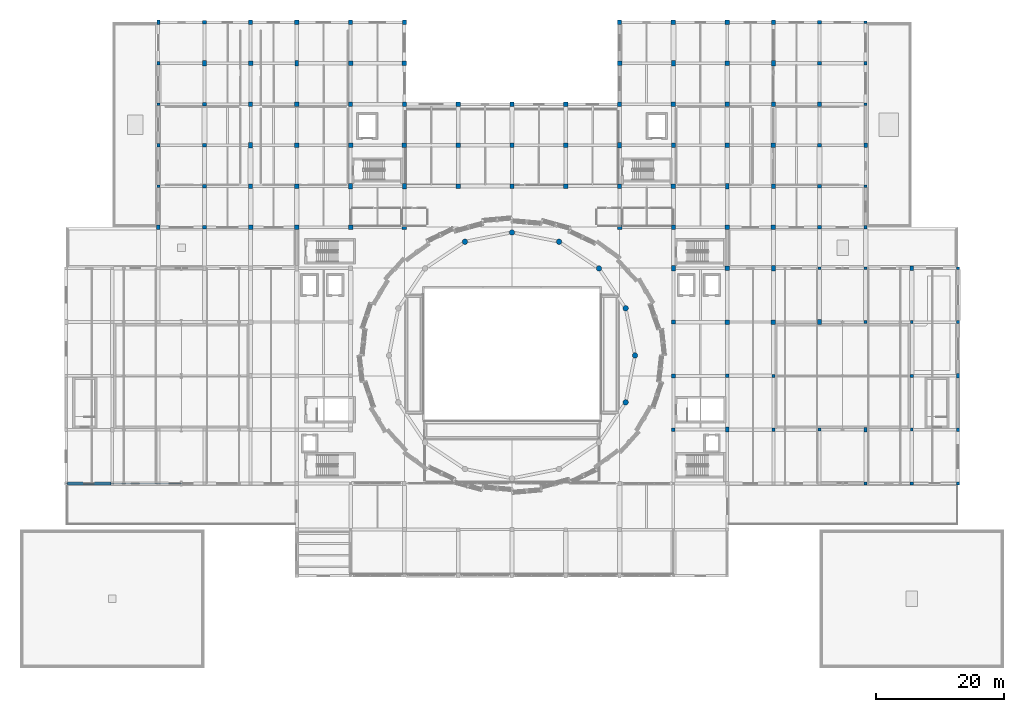
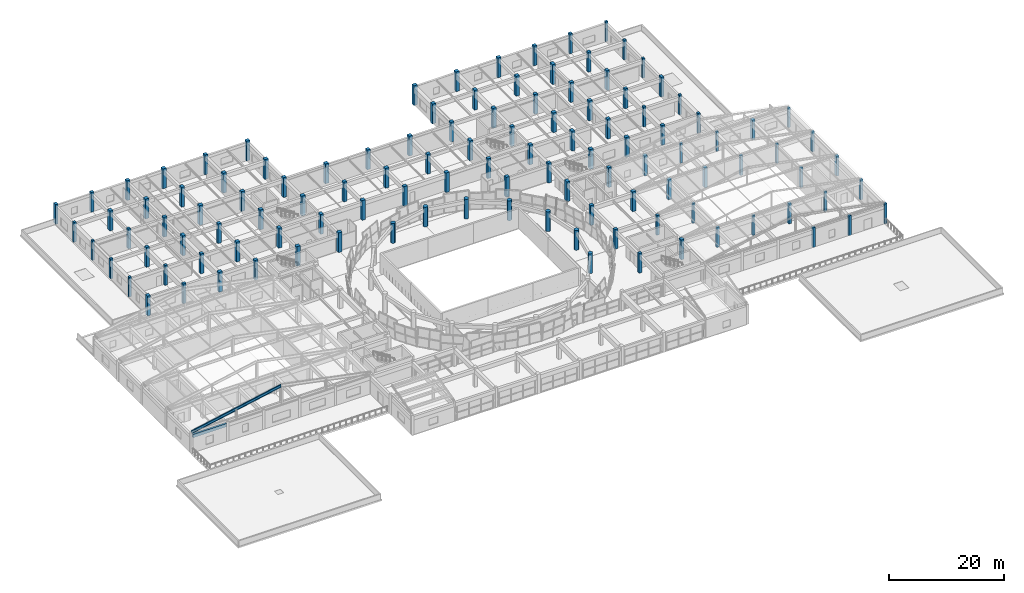
# One storey, part 5 of 74: 117 columns, 1 beam, 1 member.
"""IFC4 building model written with IfcOpenShell, lengths in metres."""

from ifc_helpers import new_model, si_unit, direction, frame, origin, origin_2d, place, context, subcontext, project, spatial, rectangle, circle, i_section, extrude, material, material_profile, profile_set, type_object, element, save


model = new_model("IFC4")

# Units and contexts
model_context = context("Model", 3, precision=1e-05, world=origin(), true_north=direction((0.0, 1.0)))
body_context = subcontext(model_context, "Body", "Model", "MODEL_VIEW")
ifc_project = project(units=[si_unit("LENGTHUNIT", "METRE"), si_unit("AREAUNIT", "SQUARE_METRE"), si_unit("VOLUMEUNIT", "CUBIC_METRE"), si_unit("PLANEANGLEUNIT", "RADIAN"), si_unit("MASSUNIT", "GRAM", prefix="KILO")], contexts=[model_context])

# Site, building, storey
site_placement = place(None, origin())
site = spatial("IfcSite", under=ifc_project, at=site_placement, CompositionType="ELEMENT")
building_placement = place(site_placement, origin())
building = spatial("IfcBuilding", under=site, at=building_placement, Name="Korsvaeld Concert Hall", CompositionType="ELEMENT")
storey_placement = place(building_placement, frame((0.0, 0.0, 9.0)))
storey = spatial("IfcBuildingStorey", under=building, at=storey_placement, Name="L02", CompositionType="ELEMENT", Elevation=9.0)

# Columns
ifc_material_1 = material(Name="Concrete C40/50", Category="concrete")
ifc_material_profile_1 = material_profile(ifc_material_1, circle(Radius=0.425048828125, at=origin_2d()), Name="RC D850")
ifc_profile_set_1 = profile_set([ifc_material_profile_1], Name="Concrete C40/50")
column_type_1 = type_object("IfcColumnType", Name="COL-DRUM-D850", PredefinedType="COLUMN", material=ifc_profile_set_1)
for number, where, z_axis, x_axis, name in (
    (1, (103.199951171875, 63.199951171875, 0.0), (0.0, 0.0, 1.0), (1.0, 0.0, 0.0), "Drum column D01 L02"),
    (2, (101.738525390625, 70.547607421875, 0.0), (0.0, 0.0, 1.0), (1.0, 0.0, 0.0), "Drum column D02 L02"),
    (3, (97.576416015625, 76.776611328125, 0.0), (0.0, 0.0, 1.0), (1.0, 0.0, 0.0), "Drum column D03 L02"),
    (4, (91.347412109375, 80.9384765625, 0.0), (0.0, 0.0, 1.0), (1.0, 0.0, 0.0), "Drum column D04 L02"),
    (5, (84.0, 82.39990234375, 0.0), (0.0, 0.0, 1.0), (1.0, 0.0, 0.0), "Drum column D05 L02"),
    (6, (76.652587890625, 80.9384765625, 0.0), (0.0, 0.0, 1.0), (1.0, 0.0, 0.0), "Drum column D06 L02"),
    (7, (101.738525390625, 55.8525390625, 0.0), (0.0, 0.0, 1.0), (1.0, 0.0, 0.0), "Drum column D16 L02"),
):
    element("IfcColumn", number, at=place(storey_placement, frame(where, z_axis=z_axis, x_axis=x_axis)), inside=storey, type_object=column_type_1, Name=name, PredefinedType="COLUMN", context=body_context, shape_type="SweptSolid", body=[
        extrude(circle(Radius=0.425048828125, at=origin_2d()), origin(), (0.0, 0.0, 1.0), 4.199951171875),
    ])
ifc_material_profile_2 = material_profile(ifc_material_1, rectangle(XDim=0.449951171875, YDim=0.449951171875, at=origin_2d()), Name="RC 450x450")
ifc_profile_set_2 = profile_set([ifc_material_profile_2], Name="Concrete C40/50")
column_type_2 = type_object("IfcColumnType", Name="COL-RC-450x450", PredefinedType="COLUMN", material=ifc_profile_set_2)
for number, where, z_axis, x_axis, name in (
    (8, (124.800048828125, 60.0, 0.0), (0.0, 0.0, 1.0), (1.0, 0.0, 0.0), "Column 17/J L02"),
    (9, (132.0, 51.60009765625, 0.0), (0.0, 0.0, 1.0), (1.0, 0.0, 0.0), "Column 18/H L02"),
    (10, (132.0, 76.800048828125, 0.0), (0.0, 0.0, 1.0), (1.0, 0.0, 0.0), "Column 18/L L02"),
    (11, (139.199951171875, 76.800048828125, 0.0), (0.0, 0.0, 1.0), (1.0, 0.0, 0.0), "Column 19/L L02"),
    (12, (139.199951171875, 89.60009765625, 0.0), (0.0, 0.0, 1.0), (1.0, 0.0, 0.0), "Column 19/N L02"),
    (13, (139.199951171875, 102.39990234375, 0.0), (0.0, 0.0, 1.0), (1.0, 0.0, 0.0), "Column 19/Q L02"),
    (14, (139.199951171875, 115.199951171875, 0.0), (0.0, 0.0, 1.0), (1.0, 0.0, 0.0), "Column 19/S L02"),
    (15, (146.39990234375, 51.60009765625, 0.0), (0.0, 0.0, 1.0), (1.0, 0.0, 0.0), "Column 20/H L02"),
    (16, (146.39990234375, 68.39990234375, 0.0), (0.0, 0.0, 1.0), (1.0, 0.0, 0.0), "Column 20/K L02"),
    (17, (153.60009765625, 43.199951171875, 0.0), (0.0, 0.0, 1.0), (1.0, 0.0, 0.0), "Column 21/G L02"),
    (18, (153.60009765625, 76.800048828125, 0.0), (0.0, 0.0, 1.0), (1.0, 0.0, 0.0), "Column 21/L L02"),
    (19, (28.800048828125, 89.60009765625, 0.0), (0.0, 0.0, 1.0), (1.0, 0.0, 0.0), "Column 5/N L02"),
    (20, (28.800048828125, 102.39990234375, 0.0), (0.0, 0.0, 1.0), (1.0, 0.0, 0.0), "Column 5/Q L02"),
):
    element("IfcColumn", number, at=place(storey_placement, frame(where, z_axis=z_axis, x_axis=x_axis)), inside=storey, type_object=column_type_2, Name=name, PredefinedType="COLUMN", context=body_context, shape_type="SweptSolid", body=[
        extrude(rectangle(XDim=0.449951171875, YDim=0.449951171875, at=origin_2d()), origin(), (0.0, 0.0, 1.0), 4.199951171875),
    ])
ifc_material_profile_3 = material_profile(ifc_material_1, rectangle(XDim=0.5, YDim=0.5, at=origin_2d()), Name="RC 500x500")
ifc_profile_set_3 = profile_set([ifc_material_profile_3], Name="Concrete C40/50")
column_type_3 = type_object("IfcColumnType", Name="COL-RC-500x500", PredefinedType="COLUMN", material=ifc_profile_set_3)
for number, where, z_axis, x_axis, name in (
    (21, (124.800048828125, 51.60009765625, 0.0), (0.0, 0.0, 1.0), (1.0, 0.0, 0.0), "Column 17/H L02"),
    (22, (139.199951171875, 43.199951171875, 0.0), (0.0, 0.0, 1.0), (1.0, 0.0, 0.0), "Column 19/G L02"),
    (23, (139.199951171875, 68.39990234375, 0.0), (0.0, 0.0, 1.0), (1.0, 0.0, 0.0), "Column 19/K L02"),
    (24, (139.199951171875, 83.199951171875, 0.0), (0.0, 0.0, 1.0), (1.0, 0.0, 0.0), "Column 19/M L02"),
    (25, (139.199951171875, 108.800048828125, 0.0), (0.0, 0.0, 1.0), (1.0, 0.0, 0.0), "Column 19/R L02"),
    (26, (146.39990234375, 43.199951171875, 0.0), (0.0, 0.0, 1.0), (1.0, 0.0, 0.0), "Column 20/G L02"),
    (27, (146.39990234375, 60.0, 0.0), (0.0, 0.0, 1.0), (1.0, 0.0, 0.0), "Column 20/J L02"),
    (28, (153.60009765625, 51.60009765625, 0.0), (0.0, 0.0, 1.0), (1.0, 0.0, 0.0), "Column 21/H L02"),
    (29, (153.60009765625, 68.39990234375, 0.0), (0.0, 0.0, 1.0), (1.0, 0.0, 0.0), "Column 21/K L02"),
    (30, (28.800048828125, 96.0, 0.0), (0.0, 0.0, 1.0), (1.0, 0.0, 0.0), "Column 5/P L02"),
    (31, (28.800048828125, 108.800048828125, 0.0), (0.0, 0.0, 1.0), (1.0, 0.0, 0.0), "Column 5/R L02"),
):
    element("IfcColumn", number, at=place(storey_placement, frame(where, z_axis=z_axis, x_axis=x_axis)), inside=storey, type_object=column_type_3, Name=name, PredefinedType="COLUMN", context=body_context, shape_type="SweptSolid", body=[
        extrude(rectangle(XDim=0.5, YDim=0.5, at=origin_2d()), origin(), (0.0, 0.0, 1.0), 4.199951171875),
    ])
ifc_material_profile_4 = material_profile(ifc_material_1, rectangle(XDim=0.5, YDim=0.699951171875, at=origin_2d()), Name="RC 500x700")
ifc_profile_set_4 = profile_set([ifc_material_profile_4], Name="Concrete C40/50")
column_type_4 = type_object("IfcColumnType", Name="COL-RC-500x700", PredefinedType="COLUMN", material=ifc_profile_set_4)
for number, where, z_axis, x_axis, name in (
    (32, (139.199951171875, 51.60009765625, 0.0), (0.0, 0.0, 1.0), (1.0, 0.0, 0.0), "Column 19/H L02"),
    (33, (153.60009765625, 60.0, 0.0), (0.0, 0.0, 1.0), (1.0, 0.0, 0.0), "Column 21/J L02"),
    (34, (28.800048828125, 115.199951171875, 0.0), (0.0, 0.0, 1.0), (1.0, 0.0, 0.0), "Column 5/S L02"),
):
    element("IfcColumn", number, at=place(storey_placement, frame(where, z_axis=z_axis, x_axis=x_axis)), inside=storey, type_object=column_type_4, Name=name, PredefinedType="COLUMN", context=body_context, shape_type="SweptSolid", body=[
        extrude(rectangle(XDim=0.5, YDim=0.699951171875, at=origin_2d()), origin(), (0.0, 0.0, 1.0), 4.199951171875),
    ])
ifc_material_profile_5 = material_profile(ifc_material_1, rectangle(XDim=0.550048828125, YDim=0.550048828125, at=origin_2d()), Name="RC 550x550")
ifc_profile_set_5 = profile_set([ifc_material_profile_5], Name="Concrete C40/50")
column_type_5 = type_object("IfcColumnType", Name="COL-RC-550x550", PredefinedType="COLUMN", material=ifc_profile_set_5)
for number, where, z_axis, x_axis, name in (
    (35, (109.199951171875, 51.60009765625, 0.0), (0.0, 0.0, 1.0), (1.0, 0.0, 0.0), "Column 15/H L02"),
    (36, (117.60009765625, 60.0, 0.0), (0.0, 0.0, 1.0), (1.0, 0.0, 0.0), "Column 16/J L02"),
    (37, (132.0, 89.60009765625, 0.0), (0.0, 0.0, 1.0), (1.0, 0.0, 0.0), "Column 18/N L02"),
    (38, (132.0, 115.199951171875, 0.0), (0.0, 0.0, 1.0), (1.0, 0.0, 0.0), "Column 18/S L02"),
    (39, (36.0, 89.60009765625, 0.0), (0.0, 0.0, 1.0), (1.0, 0.0, 0.0), "Column 6/N L02"),
    (40, (36.0, 102.39990234375, 0.0), (0.0, 0.0, 1.0), (1.0, 0.0, 0.0), "Column 6/Q L02"),
    (41, (36.0, 115.199951171875, 0.0), (0.0, 0.0, 1.0), (1.0, 0.0, 0.0), "Column 6/S L02"),
):
    element("IfcColumn", number, at=place(storey_placement, frame(where, z_axis=z_axis, x_axis=x_axis)), inside=storey, type_object=column_type_5, Name=name, PredefinedType="COLUMN", context=body_context, shape_type="SweptSolid", body=[
        extrude(rectangle(XDim=0.550048828125, YDim=0.550048828125, at=origin_2d()), origin(), (0.0, 0.0, 1.0), 4.199951171875),
    ])
ifc_material_profile_6 = material_profile(ifc_material_1, rectangle(XDim=0.550048828125, YDim=0.75, at=origin_2d()), Name="RC 550x750")
ifc_profile_set_6 = profile_set([ifc_material_profile_6], Name="Concrete C40/50")
column_type_6 = type_object("IfcColumnType", Name="COL-RC-550x750", PredefinedType="COLUMN", material=ifc_profile_set_6)
for number, where, z_axis, x_axis, name in (
    (42, (132.0, 68.39990234375, 0.0), (0.0, 0.0, 1.0), (1.0, 0.0, 0.0), "Column 18/K L02"),
    (43, (132.0, 102.39990234375, 0.0), (0.0, 0.0, 1.0), (1.0, 0.0, 0.0), "Column 18/Q L02"),
    (44, (139.199951171875, 96.0, 0.0), (0.0, 0.0, 1.0), (1.0, 0.0, 0.0), "Column 19/P L02"),
    (45, (146.39990234375, 76.800048828125, 0.0), (0.0, 0.0, 1.0), (1.0, 0.0, 0.0), "Column 20/L L02"),
    (46, (28.800048828125, 83.199951171875, 0.0), (0.0, 0.0, 1.0), (1.0, 0.0, 0.0), "Column 5/M L02"),
):
    element("IfcColumn", number, at=place(storey_placement, frame(where, z_axis=z_axis, x_axis=x_axis)), inside=storey, type_object=column_type_6, Name=name, PredefinedType="COLUMN", context=body_context, shape_type="SweptSolid", body=[
        extrude(rectangle(XDim=0.550048828125, YDim=0.75, at=origin_2d()), origin(), (0.0, 0.0, 1.0), 4.199951171875),
    ])
ifc_material_profile_7 = material_profile(ifc_material_1, rectangle(XDim=0.60009765625, YDim=0.60009765625, at=origin_2d()), Name="RC 600x600")
ifc_profile_set_7 = profile_set([ifc_material_profile_7], Name="Concrete C40/50")
column_type_7 = type_object("IfcColumnType", Name="COL-RC-600x600", PredefinedType="COLUMN", material=ifc_profile_set_7)
for number, where, z_axis, x_axis, name in (
    (47, (109.199951171875, 60.0, 0.0), (0.0, 0.0, 1.0), (1.0, 0.0, 0.0), "Column 15/J L02"),
    (48, (132.0, 83.199951171875, 0.0), (0.0, 0.0, 1.0), (1.0, 0.0, 0.0), "Column 18/M L02"),
    (49, (132.0, 96.0, 0.0), (0.0, 0.0, 1.0), (1.0, 0.0, 0.0), "Column 18/P L02"),
    (50, (132.0, 108.800048828125, 0.0), (0.0, 0.0, 1.0), (1.0, 0.0, 0.0), "Column 18/R L02"),
    (51, (36.0, 83.199951171875, 0.0), (0.0, 0.0, 1.0), (1.0, 0.0, 0.0), "Column 6/M L02"),
    (52, (36.0, 96.0, 0.0), (0.0, 0.0, 1.0), (1.0, 0.0, 0.0), "Column 6/P L02"),
):
    element("IfcColumn", number, at=place(storey_placement, frame(where, z_axis=z_axis, x_axis=x_axis)), inside=storey, type_object=column_type_7, Name=name, PredefinedType="COLUMN", context=body_context, shape_type="SweptSolid", body=[
        extrude(rectangle(XDim=0.60009765625, YDim=0.60009765625, at=origin_2d()), origin(), (0.0, 0.0, 1.0), 4.199951171875),
    ])
ifc_material_profile_8 = material_profile(ifc_material_1, rectangle(XDim=0.60009765625, YDim=0.800048828125, at=origin_2d()), Name="RC 600x800")
ifc_profile_set_8 = profile_set([ifc_material_profile_8], Name="Concrete C40/50")
column_type_8 = type_object("IfcColumnType", Name="COL-RC-600x800", PredefinedType="COLUMN", material=ifc_profile_set_8)
for number, where, z_axis, x_axis, name in (
    (53, (67.199951171875, 89.60009765625, 0.0), (0.0, 0.0, 1.0), (1.0, 0.0, 0.0), "Column 10/N L02"),
    (54, (109.199951171875, 108.800048828125, 0.0), (0.0, 0.0, 1.0), (1.0, 0.0, 0.0), "Column 15/R L02"),
    (55, (117.60009765625, 51.60009765625, 0.0), (0.0, 0.0, 1.0), (1.0, 0.0, 0.0), "Column 16/H L02"),
    (56, (117.60009765625, 89.60009765625, 0.0), (0.0, 0.0, 1.0), (1.0, 0.0, 0.0), "Column 16/N L02"),
    (57, (124.800048828125, 76.800048828125, 0.0), (0.0, 0.0, 1.0), (1.0, 0.0, 0.0), "Column 17/L L02"),
    (58, (36.0, 108.800048828125, 0.0), (0.0, 0.0, 1.0), (1.0, 0.0, 0.0), "Column 6/R L02"),
    (59, (50.39990234375, 108.800048828125, 0.0), (0.0, 0.0, 1.0), (1.0, 0.0, 0.0), "Column 8/R L02"),
    (60, (58.800048828125, 89.60009765625, 0.0), (0.0, 0.0, 1.0), (1.0, 0.0, 0.0), "Column 9/N L02"),
):
    element("IfcColumn", number, at=place(storey_placement, frame(where, z_axis=z_axis, x_axis=x_axis)), inside=storey, type_object=column_type_8, Name=name, PredefinedType="COLUMN", context=body_context, shape_type="SweptSolid", body=[
        extrude(rectangle(XDim=0.60009765625, YDim=0.800048828125, at=origin_2d()), origin(), (0.0, 0.0, 1.0), 4.199951171875),
    ])
ifc_material_profile_9 = material_profile(ifc_material_1, rectangle(XDim=0.60009765625, YDim=0.89990234375, at=origin_2d()), Name="RC 600x900")
ifc_profile_set_9 = profile_set([ifc_material_profile_9], Name="Concrete C40/50")
column_type_9 = type_object("IfcColumnType", Name="COL-RC-600x900", PredefinedType="COLUMN", material=ifc_profile_set_9)
for number, where, z_axis, x_axis, name in (
    (61, (100.800048828125, 96.0, 0.0), (0.0, 0.0, 1.0), (1.0, 0.0, 0.0), "Column 14/P L02"),
    (62, (109.199951171875, 76.800048828125, 0.0), (0.0, 0.0, 1.0), (1.0, 0.0, 0.0), "Column 15/L L02"),
    (63, (124.800048828125, 108.800048828125, 0.0), (0.0, 0.0, 1.0), (1.0, 0.0, 0.0), "Column 17/R L02"),
    (64, (43.199951171875, 96.0, 0.0), (0.0, 0.0, 1.0), (1.0, 0.0, 0.0), "Column 7/P L02"),
):
    element("IfcColumn", number, at=place(storey_placement, frame(where, z_axis=z_axis, x_axis=x_axis)), inside=storey, type_object=column_type_9, Name=name, PredefinedType="COLUMN", context=body_context, shape_type="SweptSolid", body=[
        extrude(rectangle(XDim=0.60009765625, YDim=0.89990234375, at=origin_2d()), origin(), (0.0, 0.0, 1.0), 4.199951171875),
    ])
ifc_material_profile_10 = material_profile(ifc_material_1, rectangle(XDim=0.64990234375, YDim=0.64990234375, at=origin_2d()), Name="RC 650x650")
ifc_profile_set_10 = profile_set([ifc_material_profile_10], Name="Concrete C40/50")
column_type_10 = type_object("IfcColumnType", Name="COL-RC-650x650", PredefinedType="COLUMN", material=ifc_profile_set_10)
for number, where, z_axis, x_axis, name in (
    (65, (67.199951171875, 102.39990234375, 0.0), (0.0, 0.0, 1.0), (1.0, 0.0, 0.0), "Column 10/Q L02"),
    (66, (67.199951171875, 115.199951171875, 0.0), (0.0, 0.0, 1.0), (1.0, 0.0, 0.0), "Column 10/S L02"),
    (67, (75.60009765625, 96.0, 0.0), (0.0, 0.0, 1.0), (1.0, 0.0, 0.0), "Column 11/P L02"),
    (68, (84.0, 89.60009765625, 0.0), (0.0, 0.0, 1.0), (1.0, 0.0, 0.0), "Column 12/N L02"),
    (69, (84.0, 102.39990234375, 0.0), (0.0, 0.0, 1.0), (1.0, 0.0, 0.0), "Column 12/Q L02"),
    (70, (92.39990234375, 96.0, 0.0), (0.0, 0.0, 1.0), (1.0, 0.0, 0.0), "Column 13/P L02"),
    (71, (100.800048828125, 89.60009765625, 0.0), (0.0, 0.0, 1.0), (1.0, 0.0, 0.0), "Column 14/N L02"),
    (72, (100.800048828125, 102.39990234375, 0.0), (0.0, 0.0, 1.0), (1.0, 0.0, 0.0), "Column 14/Q L02"),
    (73, (100.800048828125, 115.199951171875, 0.0), (0.0, 0.0, 1.0), (1.0, 0.0, 0.0), "Column 14/S L02"),
    (74, (109.199951171875, 68.39990234375, 0.0), (0.0, 0.0, 1.0), (1.0, 0.0, 0.0), "Column 15/K L02"),
    (75, (109.199951171875, 83.199951171875, 0.0), (0.0, 0.0, 1.0), (1.0, 0.0, 0.0), "Column 15/M L02"),
    (76, (109.199951171875, 96.0, 0.0), (0.0, 0.0, 1.0), (1.0, 0.0, 0.0), "Column 15/P L02"),
    (77, (117.60009765625, 76.800048828125, 0.0), (0.0, 0.0, 1.0), (1.0, 0.0, 0.0), "Column 16/L L02"),
    (78, (117.60009765625, 102.39990234375, 0.0), (0.0, 0.0, 1.0), (1.0, 0.0, 0.0), "Column 16/Q L02"),
    (79, (117.60009765625, 115.199951171875, 0.0), (0.0, 0.0, 1.0), (1.0, 0.0, 0.0), "Column 16/S L02"),
    (80, (124.800048828125, 89.60009765625, 0.0), (0.0, 0.0, 1.0), (1.0, 0.0, 0.0), "Column 17/N L02"),
    (81, (124.800048828125, 102.39990234375, 0.0), (0.0, 0.0, 1.0), (1.0, 0.0, 0.0), "Column 17/Q L02"),
    (82, (124.800048828125, 115.199951171875, 0.0), (0.0, 0.0, 1.0), (1.0, 0.0, 0.0), "Column 17/S L02"),
    (83, (43.199951171875, 89.60009765625, 0.0), (0.0, 0.0, 1.0), (1.0, 0.0, 0.0), "Column 7/N L02"),
    (84, (43.199951171875, 102.39990234375, 0.0), (0.0, 0.0, 1.0), (1.0, 0.0, 0.0), "Column 7/Q L02"),
    (85, (43.199951171875, 115.199951171875, 0.0), (0.0, 0.0, 1.0), (1.0, 0.0, 0.0), "Column 7/S L02"),
    (86, (50.39990234375, 83.199951171875, 0.0), (0.0, 0.0, 1.0), (1.0, 0.0, 0.0), "Column 8/M L02"),
    (87, (50.39990234375, 96.0, 0.0), (0.0, 0.0, 1.0), (1.0, 0.0, 0.0), "Column 8/P L02"),
    (88, (58.800048828125, 102.39990234375, 0.0), (0.0, 0.0, 1.0), (1.0, 0.0, 0.0), "Column 9/Q L02"),
    (89, (58.800048828125, 115.199951171875, 0.0), (0.0, 0.0, 1.0), (1.0, 0.0, 0.0), "Column 9/S L02"),
):
    element("IfcColumn", number, at=place(storey_placement, frame(where, z_axis=z_axis, x_axis=x_axis)), inside=storey, type_object=column_type_10, Name=name, PredefinedType="COLUMN", context=body_context, shape_type="SweptSolid", body=[
        extrude(rectangle(XDim=0.64990234375, YDim=0.64990234375, at=origin_2d()), origin(), (0.0, 0.0, 1.0), 4.199951171875),
    ])
ifc_material_profile_11 = material_profile(ifc_material_1, rectangle(XDim=0.699951171875, YDim=0.699951171875, at=origin_2d()), Name="RC 700x700")
ifc_profile_set_11 = profile_set([ifc_material_profile_11], Name="Concrete C40/50")
column_type_11 = type_object("IfcColumnType", Name="COL-RC-700x700", PredefinedType="COLUMN", material=ifc_profile_set_11)
for number, where, z_axis, x_axis, name in (
    (90, (67.199951171875, 83.199951171875, 0.0), (0.0, 0.0, 1.0), (1.0, 0.0, 0.0), "Column 10/M L02"),
    (91, (67.199951171875, 96.0, 0.0), (0.0, 0.0, 1.0), (1.0, 0.0, 0.0), "Column 10/P L02"),
    (92, (67.199951171875, 108.800048828125, 0.0), (0.0, 0.0, 1.0), (1.0, 0.0, 0.0), "Column 10/R L02"),
    (93, (75.60009765625, 89.60009765625, 0.0), (0.0, 0.0, 1.0), (1.0, 0.0, 0.0), "Column 11/N L02"),
    (94, (75.60009765625, 102.39990234375, 0.0), (0.0, 0.0, 1.0), (1.0, 0.0, 0.0), "Column 11/Q L02"),
    (95, (84.0, 96.0, 0.0), (0.0, 0.0, 1.0), (1.0, 0.0, 0.0), "Column 12/P L02"),
    (96, (92.39990234375, 89.60009765625, 0.0), (0.0, 0.0, 1.0), (1.0, 0.0, 0.0), "Column 13/N L02"),
    (97, (92.39990234375, 102.39990234375, 0.0), (0.0, 0.0, 1.0), (1.0, 0.0, 0.0), "Column 13/Q L02"),
    (98, (100.800048828125, 83.199951171875, 0.0), (0.0, 0.0, 1.0), (1.0, 0.0, 0.0), "Column 14/M L02"),
    (99, (100.800048828125, 108.800048828125, 0.0), (0.0, 0.0, 1.0), (1.0, 0.0, 0.0), "Column 14/R L02"),
    (100, (109.199951171875, 89.60009765625, 0.0), (0.0, 0.0, 1.0), (1.0, 0.0, 0.0), "Column 15/N L02"),
    (101, (109.199951171875, 102.39990234375, 0.0), (0.0, 0.0, 1.0), (1.0, 0.0, 0.0), "Column 15/Q L02"),
    (102, (109.199951171875, 115.199951171875, 0.0), (0.0, 0.0, 1.0), (1.0, 0.0, 0.0), "Column 15/S L02"),
    (103, (117.60009765625, 68.39990234375, 0.0), (0.0, 0.0, 1.0), (1.0, 0.0, 0.0), "Column 16/K L02"),
    (104, (117.60009765625, 83.199951171875, 0.0), (0.0, 0.0, 1.0), (1.0, 0.0, 0.0), "Column 16/M L02"),
    (105, (117.60009765625, 96.0, 0.0), (0.0, 0.0, 1.0), (1.0, 0.0, 0.0), "Column 16/P L02"),
    (106, (117.60009765625, 108.800048828125, 0.0), (0.0, 0.0, 1.0), (1.0, 0.0, 0.0), "Column 16/R L02"),
    (107, (124.800048828125, 68.39990234375, 0.0), (0.0, 0.0, 1.0), (1.0, 0.0, 0.0), "Column 17/K L02"),
    (108, (124.800048828125, 83.199951171875, 0.0), (0.0, 0.0, 1.0), (1.0, 0.0, 0.0), "Column 17/M L02"),
    (109, (124.800048828125, 96.0, 0.0), (0.0, 0.0, 1.0), (1.0, 0.0, 0.0), "Column 17/P L02"),
    (110, (43.199951171875, 83.199951171875, 0.0), (0.0, 0.0, 1.0), (1.0, 0.0, 0.0), "Column 7/M L02"),
    (111, (43.199951171875, 108.800048828125, 0.0), (0.0, 0.0, 1.0), (1.0, 0.0, 0.0), "Column 7/R L02"),
    (112, (50.39990234375, 89.60009765625, 0.0), (0.0, 0.0, 1.0), (1.0, 0.0, 0.0), "Column 8/N L02"),
    (113, (50.39990234375, 102.39990234375, 0.0), (0.0, 0.0, 1.0), (1.0, 0.0, 0.0), "Column 8/Q L02"),
    (114, (50.39990234375, 115.199951171875, 0.0), (0.0, 0.0, 1.0), (1.0, 0.0, 0.0), "Column 8/S L02"),
    (115, (58.800048828125, 83.199951171875, 0.0), (0.0, 0.0, 1.0), (1.0, 0.0, 0.0), "Column 9/M L02"),
    (116, (58.800048828125, 96.0, 0.0), (0.0, 0.0, 1.0), (1.0, 0.0, 0.0), "Column 9/P L02"),
    (117, (58.800048828125, 108.800048828125, 0.0), (0.0, 0.0, 1.0), (1.0, 0.0, 0.0), "Column 9/R L02"),
):
    element("IfcColumn", number, at=place(storey_placement, frame(where, z_axis=z_axis, x_axis=x_axis)), inside=storey, type_object=column_type_11, Name=name, PredefinedType="COLUMN", context=body_context, shape_type="SweptSolid", body=[
        extrude(rectangle(XDim=0.699951171875, YDim=0.699951171875, at=origin_2d()), origin(), (0.0, 0.0, 1.0), 4.199951171875),
    ])

# Beam
ifc_material_2 = material(Name="Concrete C35/45", Category="concrete")
ifc_material_profile_12 = material_profile(ifc_material_2, rectangle(XDim=0.39990234375, YDim=0.64990234375, at=origin_2d()), Name="RC 400x650")
ifc_profile_set_12 = profile_set([ifc_material_profile_12], Name="Concrete C35/45")
beam_type = type_object("IfcBeamType", Name="BM-RC-400x650", PredefinedType="T_BEAM", material=ifc_profile_set_12)
beam_placement = place(storey_placement, frame((14.625, 43.199951171875, 3.514892578125), z_axis=(1.0, 0.0, 0.0), x_axis=(0.0, 1.0, 0.0)))
element("IfcBeam", 118, at=beam_placement, inside=storey, type_object=beam_type, Name="Primary girder 3-4/G L02", PredefinedType="T_BEAM", context=body_context, shape_type="SweptSolid", body=[
    extrude(rectangle(XDim=0.39990234375, YDim=0.64990234375, at=origin_2d()), origin(), (0.0, 0.0, 1.0), 6.75),
])

# Member
ifc_material_3 = material(Name="Steel S355J2", Category="steel")
ifc_material_profile_13 = material_profile(ifc_material_3, i_section(OverallWidth=0.219970703125, OverallDepth=0.60009765625, WebThickness=0.011962890625, FlangeThickness=0.01904296875, FilletRadius=0.02392578125, at=origin_2d()), Name="IPE 600")
ifc_profile_set_13 = profile_set([ifc_material_profile_13], Name="Steel S355J2")
member_type = type_object("IfcMemberType", Name="MEM-RAF-IPE600", PredefinedType="RAFTER", material=ifc_profile_set_13)
member_placement = place(storey_placement, frame((14.39990234375, 43.199951171875, 4.35009765625), z_axis=(0.980582210276, 0.0, 0.196108462057), x_axis=(0.0, 1.0, 0.0)))
element("IfcMember", 119, at=member_placement, inside=storey, type_object=member_type, Name="Orchestra Rehearsal west rafter 1", PredefinedType="RAFTER", context=body_context, shape_type="SweptSolid", body=[
    extrude(i_section(OverallWidth=0.219970703125, OverallDepth=0.60009765625, WebThickness=0.011962890625, FlangeThickness=0.01904296875, FilletRadius=0.02392578125, at=origin_2d()), origin(), (0.0, 0.0, 1.0), 18.3564453125),
])

save(model, "model.ifc")
